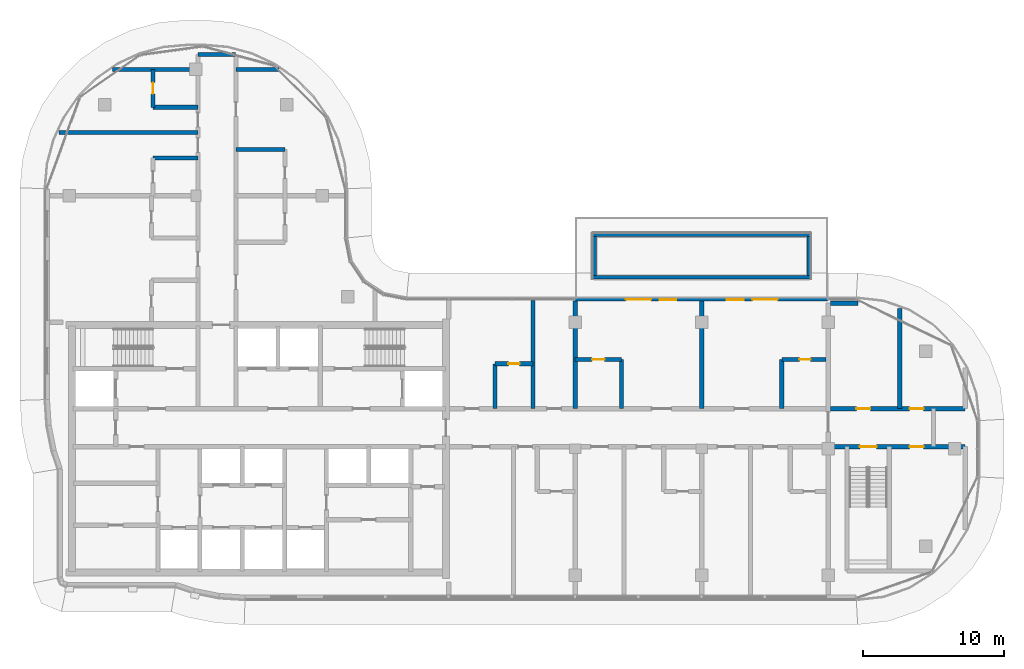
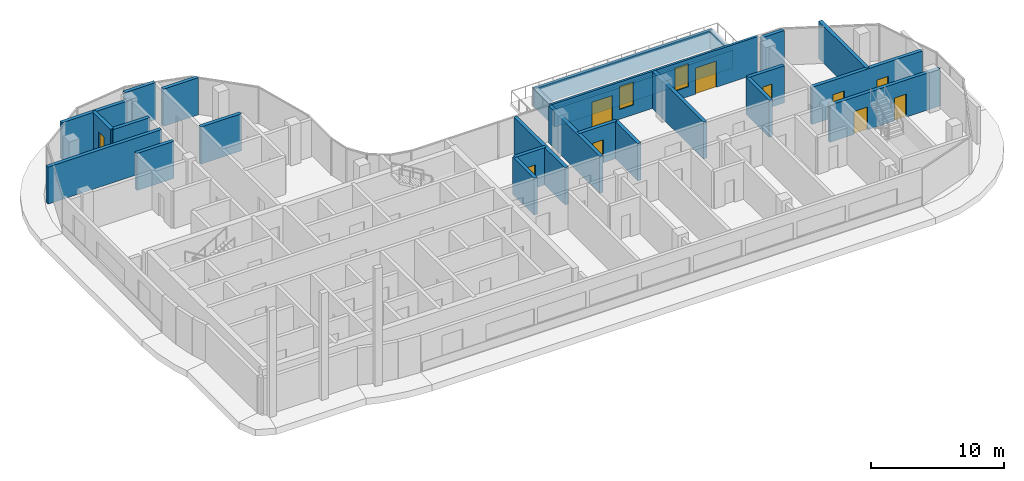
# One storey, part 12 of 20: 26 walls, 10 doors, 2 windows, 12 openings.
"""IFC4 building model written with IfcOpenShell, lengths in metres."""

from ifc_helpers import new_model, si_unit, direction, frame, frame_2d, origin, place, context, subcontext, project, spatial, rectangle, extrude, material, layer, layer_set, type_object, element, fill, save


model = new_model("IFC4")

# Units and contexts
model_context = context("Model", 3, precision=1e-05, world=origin(), true_north=direction((0.0, 1.0)))
body_context = subcontext(model_context, "Body", "Model", "MODEL_VIEW")
ifc_project = project(units=[si_unit("LENGTHUNIT", "METRE"), si_unit("AREAUNIT", "SQUARE_METRE"), si_unit("VOLUMEUNIT", "CUBIC_METRE"), si_unit("PLANEANGLEUNIT", "RADIAN"), si_unit("MASSUNIT", "GRAM", prefix="KILO")], contexts=[model_context])

# Site, building, storey
site_placement = place(None, origin())
site = spatial("IfcSite", under=ifc_project, at=site_placement, CompositionType="ELEMENT")
building_placement = place(site_placement, origin())
building = spatial("IfcBuilding", under=site, at=building_placement, Name="Ogive Portal Towers", CompositionType="ELEMENT")
storey_placement = place(building_placement, frame((0.0, 0.0, 195.800048828125)))
storey = spatial("IfcBuildingStorey", under=building, at=storey_placement, Name="L48", CompositionType="ELEMENT", Elevation=195.800048828125)

# Wall, openings, doors, windows
ifc_material_1 = material(Name="Limestone cladding on lightweight block wall", Category="masonry")
ifc_layer_1 = layer(ifc_material_1, 0.199951171875)
ifc_layer_set_1 = layer_set([ifc_layer_1], Name="BALCONY BAY WALL 200")
wall_type_1 = type_object("IfcWallType", Name="BALCONY BAY WALL 200", PredefinedType="SOLIDWALL", material=ifc_layer_set_1)
wall_1_placement = place(storey_placement, frame((67.5, 41.114990234375, 0.0), z_axis=(0.0, 0.0, 1.0), x_axis=(1.0, 0.0, 0.0)))
wall_1 = element("IfcWall", 1, at=wall_1_placement, inside=storey, type_object=wall_type_1, Name="A:L48:f13:bay0", PredefinedType="SOLIDWALL", context=body_context, shape_type="SweptSolid", body=[
    extrude(rectangle(XDim=18.0, YDim=0.199951171875, at=frame_2d((9.0, 0.0))), origin(), (0.0, 0.0, 1.0), 3.39990234375),
])
opening_1_placement = place(wall_1_placement, frame((12.60009765625, 0.0, 0.0)))
opening_1 = element("IfcOpeningElement", 2, at=opening_1_placement, cuts=wall_1, Name="Opening DX049", PredefinedType="OPENING", context=body_context, shape_type="SweptSolid", body=[
    extrude(rectangle(XDim=1.800048828125, YDim=2.39990234375, at=frame_2d((0.89990234375, 1.199951171875))), frame((0.0, 0.10986328125, 0.0), z_axis=(0.0, -1.0, 0.0), x_axis=(1.0, 0.0, 0.0)), (0.0, 0.0, 1.0), 0.219970703125),
])
opening_2_placement = place(wall_1_placement, frame((10.800048828125, 0.0, 0.89990234375)))
opening_2 = element("IfcOpeningElement", 3, at=opening_2_placement, cuts=wall_1, Name="Opening WN2", PredefinedType="OPENING", context=body_context, shape_type="SweptSolid", body=[
    extrude(rectangle(XDim=1.199951171875, YDim=2.10009765625, at=frame_2d((0.60009765625, 1.050048828125))), frame((0.0, 0.10986328125, 0.0), z_axis=(0.0, -1.0, 0.0), x_axis=(1.0, 0.0, 0.0)), (0.0, 0.0, 1.0), 0.219970703125),
])
opening_3_placement = place(wall_1_placement, frame((6.0, 0.0, 0.89990234375)))
opening_3 = element("IfcOpeningElement", 4, at=opening_3_placement, cuts=wall_1, Name="Opening WN2", PredefinedType="OPENING", context=body_context, shape_type="SweptSolid", body=[
    extrude(rectangle(XDim=1.199951171875, YDim=2.10009765625, at=frame_2d((0.60009765625, 1.050048828125))), frame((0.0, 0.10986328125, 0.0), z_axis=(0.0, -1.0, 0.0), x_axis=(1.0, 0.0, 0.0)), (0.0, 0.0, 1.0), 0.219970703125),
])
opening_4_placement = place(wall_1_placement, frame((3.60009765625, 0.0, 0.0)))
opening_4 = element("IfcOpeningElement", 5, at=opening_4_placement, cuts=wall_1, Name="Opening DX050", PredefinedType="OPENING", context=body_context, shape_type="SweptSolid", body=[
    extrude(rectangle(XDim=1.800048828125, YDim=2.39990234375, at=frame_2d((0.89990234375, 1.199951171875))), frame((0.0, 0.10986328125, 0.0), z_axis=(0.0, -1.0, 0.0), x_axis=(1.0, 0.0, 0.0)), (0.0, 0.0, 1.0), 0.219970703125),
])
ifc_material_2 = material(Name="Aluminium 6063 anodised", Category="aluminium")
door_type_1 = type_object("IfcDoorType", Name="BALCONY DOOR 1800x2400", OperationType="DOUBLE_DOOR_SINGLE_SWING", PredefinedType="DOOR", material=ifc_material_2)
door_1_placement = place(opening_1_placement, origin())
door_1 = element("IfcDoor", 6, at=door_1_placement, inside=storey, type_object=door_type_1, Name="A:L48:f13:bay0/o0", OperationType="SINGLE_SWING_LEFT", OverallHeight=2.39990234375, OverallWidth=1.800048828125, PredefinedType="DOOR", context=body_context, shape_type="SweptSolid", body=[
    extrude(rectangle(XDim=1.800048828125, YDim=2.39990234375, at=frame_2d((0.89990234375, 1.199951171875))), frame((0.0, 0.02490234375, 0.0), z_axis=(0.0, -1.0, 0.0), x_axis=(1.0, 0.0, 0.0)), (0.0, 0.0, 1.0), 0.050048828125),
])
fill(opening_1, door_1)
door_2_placement = place(opening_4_placement, origin())
door_2 = element("IfcDoor", 7, at=door_2_placement, inside=storey, type_object=door_type_1, Name="A:L48:f13:bay0/o3", OperationType="SINGLE_SWING_LEFT", OverallHeight=2.39990234375, OverallWidth=1.800048828125, PredefinedType="DOOR", context=body_context, shape_type="SweptSolid", body=[
    extrude(rectangle(XDim=1.800048828125, YDim=2.39990234375, at=frame_2d((0.89990234375, 1.199951171875))), frame((0.0, 0.02490234375, 0.0), z_axis=(0.0, -1.0, 0.0), x_axis=(1.0, 0.0, 0.0)), (0.0, 0.0, 1.0), 0.050048828125),
])
fill(opening_4, door_2)
ifc_material_3 = material(Name="Glass, clear low-iron insulated glazing", Category="glass")
window_type = type_object("IfcWindowType", Name="WINDOW BALCONY BAY 1200x2100", PartitioningType="SINGLE_PANEL", PredefinedType="WINDOW", material=ifc_material_3)
window_1_placement = place(opening_2_placement, origin())
window_1 = element("IfcWindow", 8, at=window_1_placement, inside=storey, type_object=window_type, Name="A:L48:f13:bay0/o1", OverallHeight=2.10009765625, OverallWidth=1.199951171875, PartitioningType="SINGLE_PANEL", PredefinedType="WINDOW", context=body_context, shape_type="SweptSolid", body=[
    extrude(rectangle(XDim=1.199951171875, YDim=2.10009765625, at=frame_2d((0.60009765625, 1.050048828125))), frame((0.0, 0.030029296875, 0.0), z_axis=(0.0, -1.0, 0.0), x_axis=(1.0, 0.0, 0.0)), (0.0, 0.0, 1.0), 0.06005859375),
])
fill(opening_2, window_1)
window_2_placement = place(opening_3_placement, origin())
window_2 = element("IfcWindow", 9, at=window_2_placement, inside=storey, type_object=window_type, Name="A:L48:f13:bay0/o2", OverallHeight=2.10009765625, OverallWidth=1.199951171875, PartitioningType="SINGLE_PANEL", PredefinedType="WINDOW", context=body_context, shape_type="SweptSolid", body=[
    extrude(rectangle(XDim=1.199951171875, YDim=2.10009765625, at=frame_2d((0.60009765625, 1.050048828125))), frame((0.0, 0.030029296875, 0.0), z_axis=(0.0, -1.0, 0.0), x_axis=(1.0, 0.0, 0.0)), (0.0, 0.0, 1.0), 0.06005859375),
])
fill(opening_3, window_2)

# Walls
ifc_material_4 = material(Name="Concrete C40/50", Category="concrete")
ifc_layer_2 = layer(ifc_material_4, 0.25)
ifc_layer_set_2 = layer_set([ifc_layer_2], Name="POOL WALL 250")
wall_type_2 = type_object("IfcWallType", Name="POOL WALL 250", PredefinedType="SOLIDWALL", material=ifc_layer_set_2)
wall_2_placement = place(storey_placement, frame((68.75, 42.68994140625, 0.0), z_axis=(0.0, 0.0, 1.0), x_axis=(1.0, 0.0, 0.0)))
element("IfcWall", 10, at=wall_2_placement, inside=storey, type_object=wall_type_2, Name="A:L48:pool:wall0", PredefinedType="SOLIDWALL", context=body_context, shape_type="SweptSolid", body=[
    extrude(rectangle(XDim=15.5, YDim=0.25, at=frame_2d((7.75, 0.0))), origin(), (0.0, 0.0, 1.0), 1.64990234375),
])
wall_3_placement = place(storey_placement, frame((84.125, 42.81494140625, 0.0), z_axis=(0.0, 0.0, 1.0), x_axis=(0.0, 1.0, 0.0)))
element("IfcWall", 11, at=wall_3_placement, inside=storey, type_object=wall_type_2, Name="A:L48:pool:wall1", PredefinedType="SOLIDWALL", context=body_context, shape_type="SweptSolid", body=[
    extrude(rectangle(XDim=2.78515625, YDim=0.25, at=frame_2d((1.392578125, 0.0))), origin(), (0.0, 0.0, 1.0), 1.64990234375),
])
wall_4_placement = place(storey_placement, frame((84.25, 45.72509765625, 0.0), z_axis=(0.0, 0.0, 1.0), x_axis=(-1.0, 0.0, 0.0)))
element("IfcWall", 12, at=wall_4_placement, inside=storey, type_object=wall_type_2, Name="A:L48:pool:wall2", PredefinedType="SOLIDWALL", context=body_context, shape_type="SweptSolid", body=[
    extrude(rectangle(XDim=15.5, YDim=0.25, at=frame_2d((7.75, 0.0))), origin(), (0.0, 0.0, 1.0), 1.64990234375),
])
wall_5_placement = place(storey_placement, frame((68.875, 45.60009765625, 0.0), z_axis=(0.0, 0.0, 1.0), x_axis=(0.0, -1.0, 0.0)))
element("IfcWall", 13, at=wall_5_placement, inside=storey, type_object=wall_type_2, Name="A:L48:pool:wall3", PredefinedType="SOLIDWALL", context=body_context, shape_type="SweptSolid", body=[
    extrude(rectangle(XDim=2.78515625, YDim=0.25, at=frame_2d((1.392578125, 0.0))), origin(), (0.0, 0.0, 1.0), 1.64990234375),
])

# Wall, openings, doors
ifc_material_5 = material(Name="Concrete C50/60", Category="concrete")
ifc_layer_3 = layer(ifc_material_5, 0.300048828125)
ifc_layer_set_3 = layer_set([ifc_layer_3], Name="STAIR WALL 300 C50")
wall_type_3 = type_object("IfcWallType", Name="STAIR WALL 300 C50", PredefinedType="SHEAR", material=ifc_layer_set_3)
wall_6_placement = place(storey_placement, frame((85.669921875, 30.64990234375, 0.0), z_axis=(0.0, 0.0, 1.0), x_axis=(1.0, 0.0, 0.0)))
wall_6 = element("IfcWall", 14, at=wall_6_placement, inside=storey, type_object=wall_type_3, Name="Stair wall ST-A4 L48", PredefinedType="SHEAR", context=body_context, shape_type="SweptSolid", body=[
    extrude(rectangle(XDim=9.580078125, YDim=0.300048828125, at=frame_2d((4.7900390625, 0.0))), origin(), (0.0, 0.0, 1.0), 3.39990234375),
])
opening_5_placement = place(wall_6_placement, frame((2.080078125, 0.0, 0.0)))
opening_5 = element("IfcOpeningElement", 15, at=opening_5_placement, cuts=wall_6, Name="Opening D35-054", PredefinedType="OPENING", context=body_context, shape_type="SweptSolid", body=[
    extrude(rectangle(XDim=1.199951171875, YDim=2.10009765625, at=frame_2d((0.60009765625, 1.050048828125))), frame((0.0, 0.16015625, 0.0), z_axis=(0.0, -1.0, 0.0), x_axis=(1.0, 0.0, 0.0)), (0.0, 0.0, 1.0), 0.320068359375),
])
opening_6_placement = place(wall_6_placement, frame((5.6298828125, 0.0, 0.0)))
opening_6 = element("IfcOpeningElement", 16, at=opening_6_placement, cuts=wall_6, Name="Opening D35-057", PredefinedType="OPENING", context=body_context, shape_type="SweptSolid", body=[
    extrude(rectangle(XDim=1.0, YDim=2.10009765625, at=frame_2d((0.5, 1.050048828125))), frame((0.0, 0.16015625, 0.0), z_axis=(0.0, -1.0, 0.0), x_axis=(1.0, 0.0, 0.0)), (0.0, 0.0, 1.0), 0.320068359375),
])
ifc_material_6 = material(Name="Steel fire door", Category="steel")
door_type_2 = type_object("IfcDoorType", Name="DT-SERVICE-1000x2100-FD90S", OperationType="SINGLE_SWING_LEFT", PredefinedType="DOOR", material=ifc_material_6)
door_3_placement = place(opening_6_placement, origin())
door_3 = element("IfcDoor", 17, at=door_3_placement, inside=storey, type_object=door_type_2, Name="Door D35-057", OperationType="SINGLE_SWING_LEFT", OverallHeight=2.10009765625, OverallWidth=1.0, PredefinedType="DOOR", context=body_context, shape_type="SweptSolid", body=[
    extrude(rectangle(XDim=1.0, YDim=2.10009765625, at=frame_2d((0.5, 1.050048828125))), frame((0.0, 0.02490234375, 0.0), z_axis=(0.0, -1.0, 0.0), x_axis=(1.0, 0.0, 0.0)), (0.0, 0.0, 1.0), 0.050048828125),
])
fill(opening_6, door_3)
door_type_3 = type_object("IfcDoorType", Name="DT-STAIR-1200x2100-FD90S", OperationType="SINGLE_SWING_LEFT", PredefinedType="DOOR", material=ifc_material_6)
door_4_placement = place(opening_5_placement, origin())
door_4 = element("IfcDoor", 18, at=door_4_placement, inside=storey, type_object=door_type_3, Name="Door D35-054", OperationType="SINGLE_SWING_LEFT", OverallHeight=2.10009765625, OverallWidth=1.199951171875, PredefinedType="DOOR", context=body_context, shape_type="SweptSolid", body=[
    extrude(rectangle(XDim=1.199951171875, YDim=2.10009765625, at=frame_2d((0.60009765625, 1.050048828125))), frame((0.0, 0.02490234375, 0.0), z_axis=(0.0, -1.0, 0.0), x_axis=(1.0, 0.0, 0.0)), (0.0, 0.0, 1.0), 0.050048828125),
])
fill(opening_5, door_4)

ifc_material_7 = material(Name="Gypsum board partition on steel studs", Category="steel")
ifc_layer_4 = layer(ifc_material_7, 0.300048828125)
ifc_layer_set_4 = layer_set([ifc_layer_4], Name="WT-PART-300-EI 120")
wall_type_4 = type_object("IfcWallType", Name="WT-PART-300-EI 120", PredefinedType="PARTITIONING", material=ifc_layer_set_4)
wall_7_placement = place(storey_placement, frame((85.669921875, 33.35009765625, 0.0), z_axis=(0.0, 0.0, 1.0), x_axis=(1.0, 0.0, 0.0)))
wall_7 = element("IfcWall", 19, at=wall_7_placement, inside=storey, type_object=wall_type_4, Name="Wall L48:w008", PredefinedType="PARTITIONING", context=body_context, shape_type="SweptSolid", body=[
    extrude(rectangle(XDim=9.580078125, YDim=0.300048828125, at=frame_2d((4.7900390625, 0.0))), origin(), (0.0, 0.0, 1.0), 3.39990234375),
])
opening_7_placement = place(wall_7_placement, frame((1.830078125, 0.0, 0.0)))
opening_7 = element("IfcOpeningElement", 20, at=opening_7_placement, cuts=wall_7, Name="Opening D35-055", PredefinedType="OPENING", context=body_context, shape_type="SweptSolid", body=[
    extrude(rectangle(XDim=1.0, YDim=2.10009765625, at=frame_2d((0.5, 1.050048828125))), frame((0.0, 0.16015625, 0.0), z_axis=(0.0, -1.0, 0.0), x_axis=(1.0, 0.0, 0.0)), (0.0, 0.0, 1.0), 0.320068359375),
])
opening_8_placement = place(wall_7_placement, frame((5.6298828125, 0.0, 0.0)))
opening_8 = element("IfcOpeningElement", 21, at=opening_8_placement, cuts=wall_7, Name="Opening D35-056", PredefinedType="OPENING", context=body_context, shape_type="SweptSolid", body=[
    extrude(rectangle(XDim=1.0, YDim=2.10009765625, at=frame_2d((0.5, 1.050048828125))), frame((0.0, 0.16015625, 0.0), z_axis=(0.0, -1.0, 0.0), x_axis=(1.0, 0.0, 0.0)), (0.0, 0.0, 1.0), 0.320068359375),
])
door_5_placement = place(opening_7_placement, origin())
door_5 = element("IfcDoor", 22, at=door_5_placement, inside=storey, type_object=door_type_2, Name="Door D35-055", OperationType="SINGLE_SWING_LEFT", OverallHeight=2.10009765625, OverallWidth=1.0, PredefinedType="DOOR", context=body_context, shape_type="SweptSolid", body=[
    extrude(rectangle(XDim=1.0, YDim=2.10009765625, at=frame_2d((0.5, 1.050048828125))), frame((0.0, 0.02490234375, 0.0), z_axis=(0.0, -1.0, 0.0), x_axis=(1.0, 0.0, 0.0)), (0.0, 0.0, 1.0), 0.050048828125),
])
fill(opening_7, door_5)
door_6_placement = place(opening_8_placement, origin())
door_6 = element("IfcDoor", 23, at=door_6_placement, inside=storey, type_object=door_type_2, Name="Riser access door D35-056", OperationType="SINGLE_SWING_RIGHT", OverallHeight=2.10009765625, OverallWidth=1.0, PredefinedType="DOOR", context=body_context, shape_type="SweptSolid", body=[
    extrude(rectangle(XDim=1.0, YDim=2.10009765625, at=frame_2d((0.5, 1.050048828125))), frame((0.0, 0.02490234375, 0.0), z_axis=(0.0, -1.0, 0.0), x_axis=(1.0, 0.0, 0.0)), (0.0, 0.0, 1.0), 0.050048828125),
])
fill(opening_8, door_6)

# Wall, opening, door
ifc_layer_5 = layer(ifc_material_7, 0.300048828125)
ifc_layer_set_5 = layer_set([ifc_layer_5], Name="WT-PART-300-EI 60")
wall_type_5 = type_object("IfcWallType", Name="WT-PART-300-EI 60", PredefinedType="PARTITIONING", material=ifc_layer_set_5)
wall_8_placement = place(storey_placement, frame((61.800048828125, 36.550048828125, 0.0), z_axis=(0.0, 0.0, 1.0), x_axis=(1.0, 0.0, 0.0)))
wall_8 = element("IfcWall", 24, at=wall_8_placement, inside=storey, type_object=wall_type_5, Name="Wall L48:w009", PredefinedType="PARTITIONING", context=body_context, shape_type="SweptSolid", body=[
    extrude(rectangle(XDim=2.699951171875, YDim=0.300048828125, at=frame_2d((1.35009765625, 0.0))), origin(), (0.0, 0.0, 1.0), 3.39990234375),
])
opening_9_placement = place(wall_8_placement, frame((0.949951171875, 0.0, 0.0)))
opening_9 = element("IfcOpeningElement", 25, at=opening_9_placement, cuts=wall_8, Name="Opening D35-027", PredefinedType="OPENING", context=body_context, shape_type="SweptSolid", body=[
    extrude(rectangle(XDim=0.800048828125, YDim=2.10009765625, at=frame_2d((0.39990234375, 1.050048828125))), frame((0.0, 0.16015625, 0.0), z_axis=(0.0, -1.0, 0.0), x_axis=(1.0, 0.0, 0.0)), (0.0, 0.0, 1.0), 0.320068359375),
])
door_type_4 = type_object("IfcDoorType", Name="DT-BATH-800x2100-FD60S", OperationType="SINGLE_SWING_LEFT", PredefinedType="DOOR", material=ifc_material_6)
door_7_placement = place(opening_9_placement, origin())
door_7 = element("IfcDoor", 26, at=door_7_placement, inside=storey, type_object=door_type_4, Name="Door D35-027", OperationType="SINGLE_SWING_LEFT", OverallHeight=2.10009765625, OverallWidth=0.800048828125, PredefinedType="DOOR", context=body_context, shape_type="SweptSolid", body=[
    extrude(rectangle(XDim=0.800048828125, YDim=2.10009765625, at=frame_2d((0.39990234375, 1.050048828125))), frame((0.0, 0.02490234375, 0.0), z_axis=(0.0, -1.0, 0.0), x_axis=(1.0, 0.0, 0.0)), (0.0, 0.0, 1.0), 0.050048828125),
])
fill(opening_9, door_7)

wall_9_placement = place(storey_placement, frame((67.5, 36.85009765625, 0.0), z_axis=(0.0, 0.0, 1.0), x_axis=(1.0, 0.0, 0.0)))
wall_9 = element("IfcWall", 27, at=wall_9_placement, inside=storey, type_object=wall_type_5, Name="Wall L48:w010", PredefinedType="PARTITIONING", context=body_context, shape_type="SweptSolid", body=[
    extrude(rectangle(XDim=3.300048828125, YDim=0.300048828125, at=frame_2d((1.64990234375, 0.0))), origin(), (0.0, 0.0, 1.0), 3.39990234375),
])
opening_10_placement = place(wall_9_placement, frame((1.199951171875, 0.0, 0.0)))
opening_10 = element("IfcOpeningElement", 28, at=opening_10_placement, cuts=wall_9, Name="Opening D35-034", PredefinedType="OPENING", context=body_context, shape_type="SweptSolid", body=[
    extrude(rectangle(XDim=0.89990234375, YDim=2.10009765625, at=frame_2d((0.449951171875, 1.050048828125))), frame((0.0, 0.16015625, 0.0), z_axis=(0.0, -1.0, 0.0), x_axis=(1.0, 0.0, 0.0)), (0.0, 0.0, 1.0), 0.320068359375),
])
door_type_5 = type_object("IfcDoorType", Name="DT-BATH-900x2100-FD60S", OperationType="SINGLE_SWING_LEFT", PredefinedType="DOOR", material=ifc_material_6)
door_8_placement = place(opening_10_placement, origin())
door_8 = element("IfcDoor", 29, at=door_8_placement, inside=storey, type_object=door_type_5, Name="Door D35-034", OperationType="SINGLE_SWING_LEFT", OverallHeight=2.10009765625, OverallWidth=0.89990234375, PredefinedType="DOOR", context=body_context, shape_type="SweptSolid", body=[
    extrude(rectangle(XDim=0.89990234375, YDim=2.10009765625, at=frame_2d((0.449951171875, 1.050048828125))), frame((0.0, 0.02490234375, 0.0), z_axis=(0.0, -1.0, 0.0), x_axis=(1.0, 0.0, 0.0)), (0.0, 0.0, 1.0), 0.050048828125),
])
fill(opening_10, door_8)

wall_10_placement = place(storey_placement, frame((82.199951171875, 36.85009765625, 0.0), z_axis=(0.0, 0.0, 1.0), x_axis=(1.0, 0.0, 0.0)))
wall_10 = element("IfcWall", 30, at=wall_10_placement, inside=storey, type_object=wall_type_5, Name="Wall L48:w011", PredefinedType="PARTITIONING", context=body_context, shape_type="SweptSolid", body=[
    extrude(rectangle(XDim=3.130126953125, YDim=0.300048828125, at=frame_2d((1.56494140625, 0.0))), origin(), (0.0, 0.0, 1.0), 3.39990234375),
])
opening_11_placement = place(wall_10_placement, frame((1.25, 0.0, 0.0)))
opening_11 = element("IfcOpeningElement", 31, at=opening_11_placement, cuts=wall_10, Name="Opening D35-038", PredefinedType="OPENING", context=body_context, shape_type="SweptSolid", body=[
    extrude(rectangle(XDim=0.800048828125, YDim=2.10009765625, at=frame_2d((0.39990234375, 1.050048828125))), frame((0.0, 0.16015625, 0.0), z_axis=(0.0, -1.0, 0.0), x_axis=(1.0, 0.0, 0.0)), (0.0, 0.0, 1.0), 0.320068359375),
])
door_9_placement = place(opening_11_placement, origin())
door_9 = element("IfcDoor", 32, at=door_9_placement, inside=storey, type_object=door_type_4, Name="Door D35-038", OperationType="SINGLE_SWING_LEFT", OverallHeight=2.10009765625, OverallWidth=0.800048828125, PredefinedType="DOOR", context=body_context, shape_type="SweptSolid", body=[
    extrude(rectangle(XDim=0.800048828125, YDim=2.10009765625, at=frame_2d((0.39990234375, 1.050048828125))), frame((0.0, 0.02490234375, 0.0), z_axis=(0.0, -1.0, 0.0), x_axis=(1.0, 0.0, 0.0)), (0.0, 0.0, 1.0), 0.050048828125),
])
fill(opening_11, door_9)

# Walls
wall_11_placement = place(storey_placement, frame((85.669921875, 40.85009765625, 0.0), z_axis=(0.0, 0.0, 1.0), x_axis=(1.0, 0.0, 0.0)))
element("IfcWall", 33, at=wall_11_placement, inside=storey, type_object=wall_type_5, Name="Wall L48:w013", PredefinedType="PARTITIONING", context=body_context, shape_type="SweptSolid", body=[
    extrude(rectangle(XDim=1.943115234375, YDim=0.300048828125, at=frame_2d((0.9716796875, 0.0))), origin(), (0.0, 0.0, 1.0), 3.39990234375),
])
wall_12_placement = place(storey_placement, frame((37.449951171875, 51.199951171875, 0.0), z_axis=(0.0, 0.0, 1.0), x_axis=(1.0, 0.0, 0.0)))
element("IfcWall", 34, at=wall_12_placement, inside=storey, type_object=wall_type_5, Name="Wall L48:w019", PredefinedType="PARTITIONING", context=body_context, shape_type="SweptSolid", body=[
    extrude(rectangle(XDim=3.199951171875, YDim=0.300048828125, at=frame_2d((1.60009765625, 0.0))), origin(), (0.0, 0.0, 1.0), 3.39990234375),
])
wall_13_placement = place(storey_placement, frame((43.35009765625, 51.800048828125, 0.0), z_axis=(0.0, 0.0, 1.0), x_axis=(1.0, 0.0, 0.0)))
element("IfcWall", 35, at=wall_13_placement, inside=storey, type_object=wall_type_5, Name="Wall L48:w020", PredefinedType="PARTITIONING", context=body_context, shape_type="SweptSolid", body=[
    extrude(rectangle(XDim=3.5, YDim=0.300048828125, at=frame_2d((1.75, 0.0))), origin(), (0.0, 0.0, 1.0), 3.39990234375),
])
wall_14_placement = place(storey_placement, frame((30.757080078125, 53.0, 0.0), z_axis=(0.0, 0.0, 1.0), x_axis=(1.0, 0.0, 0.0)))
element("IfcWall", 36, at=wall_14_placement, inside=storey, type_object=wall_type_5, Name="Wall L48:w021", PredefinedType="PARTITIONING", context=body_context, shape_type="SweptSolid", body=[
    extrude(rectangle(XDim=9.892822265625, YDim=0.300048828125, at=frame_2d((4.9462890625, 0.0))), origin(), (0.0, 0.0, 1.0), 3.39990234375),
])
wall_15_placement = place(storey_placement, frame((37.449951171875, 54.800048828125, 0.0), z_axis=(0.0, 0.0, 1.0), x_axis=(1.0, 0.0, 0.0)))
element("IfcWall", 37, at=wall_15_placement, inside=storey, type_object=wall_type_5, Name="Wall L48:w022", PredefinedType="PARTITIONING", context=body_context, shape_type="SweptSolid", body=[
    extrude(rectangle(XDim=3.199951171875, YDim=0.300048828125, at=frame_2d((1.60009765625, 0.0))), origin(), (0.0, 0.0, 1.0), 3.39990234375),
])
wall_16_placement = place(storey_placement, frame((34.58203125, 57.5, 0.0), z_axis=(0.0, 0.0, 1.0), x_axis=(1.0, 0.0, 0.0)))
element("IfcWall", 38, at=wall_16_placement, inside=storey, type_object=wall_type_5, Name="Wall L48:w023", PredefinedType="PARTITIONING", context=body_context, shape_type="SweptSolid", body=[
    extrude(rectangle(XDim=6.06787109375, YDim=0.300048828125, at=frame_2d((3.033935546875, 0.0))), origin(), (0.0, 0.0, 1.0), 3.39990234375),
])
wall_17_placement = place(storey_placement, frame((43.35009765625, 57.5, 0.0), z_axis=(0.0, 0.0, 1.0), x_axis=(1.0, 0.0, 0.0)))
element("IfcWall", 39, at=wall_17_placement, inside=storey, type_object=wall_type_5, Name="Wall L48:w024", PredefinedType="PARTITIONING", context=body_context, shape_type="SweptSolid", body=[
    extrude(rectangle(XDim=3.06787109375, YDim=0.300048828125, at=frame_2d((1.533935546875, 0.0))), origin(), (0.0, 0.0, 1.0), 3.39990234375),
])
wall_18_placement = place(storey_placement, frame((40.64990234375, 58.550048828125, 0.0), z_axis=(0.0, 0.0, 1.0), x_axis=(1.0, 0.0, 0.0)))
element("IfcWall", 40, at=wall_18_placement, inside=storey, type_object=wall_type_5, Name="Wall L48:w025", PredefinedType="PARTITIONING", context=body_context, shape_type="SweptSolid", body=[
    extrude(rectangle(XDim=2.674072265625, YDim=0.300048828125, at=frame_2d((1.3369140625, 0.0))), origin(), (0.0, 0.0, 1.0), 3.39990234375),
])

# Wall, opening, door
wall_19_placement = place(storey_placement, frame((37.449951171875, 54.800048828125, 0.0), z_axis=(0.0, 0.0, 1.0), x_axis=(0.0, 1.0, 0.0)))
wall_19 = element("IfcWall", 41, at=wall_19_placement, inside=storey, type_object=wall_type_5, Name="Wall L48:w029", PredefinedType="PARTITIONING", context=body_context, shape_type="SweptSolid", body=[
    extrude(rectangle(XDim=2.699951171875, YDim=0.300048828125, at=frame_2d((1.35009765625, 0.0))), origin(), (0.0, 0.0, 1.0), 3.39990234375),
])
opening_12_placement = place(wall_19_placement, frame((0.949951171875, 0.0, 0.0)))
opening_12 = element("IfcOpeningElement", 42, at=opening_12_placement, cuts=wall_19, Name="Opening D35-052", PredefinedType="OPENING", context=body_context, shape_type="SweptSolid", body=[
    extrude(rectangle(XDim=0.800048828125, YDim=2.10009765625, at=frame_2d((0.39990234375, 1.050048828125))), frame((0.0, 0.16015625, 0.0), z_axis=(0.0, -1.0, 0.0), x_axis=(1.0, 0.0, 0.0)), (0.0, 0.0, 1.0), 0.320068359375),
])
door_10_placement = place(opening_12_placement, origin())
door_10 = element("IfcDoor", 43, at=door_10_placement, inside=storey, type_object=door_type_4, Name="Door D35-052", OperationType="SINGLE_SWING_RIGHT", OverallHeight=2.10009765625, OverallWidth=0.800048828125, PredefinedType="DOOR", context=body_context, shape_type="SweptSolid", body=[
    extrude(rectangle(XDim=0.800048828125, YDim=2.10009765625, at=frame_2d((0.39990234375, 1.050048828125))), frame((0.0, 0.02490234375, 0.0), z_axis=(0.0, -1.0, 0.0), x_axis=(1.0, 0.0, 0.0)), (0.0, 0.0, 1.0), 0.050048828125),
])
fill(opening_12, door_10)

# Walls
wall_20_placement = place(storey_placement, frame((61.800048828125, 33.35009765625, 0.0), z_axis=(0.0, 0.0, 1.0), x_axis=(0.0, 1.0, 0.0)))
element("IfcWall", 44, at=wall_20_placement, inside=storey, type_object=wall_type_5, Name="Wall L48:w036", PredefinedType="PARTITIONING", context=body_context, shape_type="SweptSolid", body=[
    extrude(rectangle(XDim=3.199951171875, YDim=0.300048828125, at=frame_2d((1.60009765625, 0.0))), origin(), (0.0, 0.0, 1.0), 3.39990234375),
])
wall_21_placement = place(storey_placement, frame((64.5, 33.35009765625, 0.0), z_axis=(0.0, 0.0, 1.0), x_axis=(0.0, 1.0, 0.0)))
element("IfcWall", 45, at=wall_21_placement, inside=storey, type_object=wall_type_5, Name="Wall L48:w038", PredefinedType="PARTITIONING", context=body_context, shape_type="SweptSolid", body=[
    extrude(rectangle(XDim=7.69482421875, YDim=0.300048828125, at=frame_2d((3.847412109375, 0.0))), origin(), (0.0, 0.0, 1.0), 3.39990234375),
])
wall_22_placement = place(storey_placement, frame((67.5, 33.35009765625, 0.0), z_axis=(0.0, 0.0, 1.0), x_axis=(0.0, 1.0, 0.0)))
element("IfcWall", 46, at=wall_22_placement, inside=storey, type_object=wall_type_5, Name="Wall L48:w041", PredefinedType="PARTITIONING", context=body_context, shape_type="SweptSolid", body=[
    extrude(rectangle(XDim=7.65478515625, YDim=0.300048828125, at=frame_2d((3.827392578125, 0.0))), origin(), (0.0, 0.0, 1.0), 3.39990234375),
])
wall_23_placement = place(storey_placement, frame((70.800048828125, 33.35009765625, 0.0), z_axis=(0.0, 0.0, 1.0), x_axis=(0.0, 1.0, 0.0)))
element("IfcWall", 47, at=wall_23_placement, inside=storey, type_object=wall_type_5, Name="Wall L48:w042", PredefinedType="PARTITIONING", context=body_context, shape_type="SweptSolid", body=[
    extrude(rectangle(XDim=3.5, YDim=0.300048828125, at=frame_2d((1.75, 0.0))), origin(), (0.0, 0.0, 1.0), 3.39990234375),
])
wall_24_placement = place(storey_placement, frame((76.5, 33.35009765625, 0.0), z_axis=(0.0, 0.0, 1.0), x_axis=(0.0, 1.0, 0.0)))
element("IfcWall", 48, at=wall_24_placement, inside=storey, type_object=wall_type_5, Name="Wall L48:w046", PredefinedType="PARTITIONING", context=body_context, shape_type="SweptSolid", body=[
    extrude(rectangle(XDim=7.65478515625, YDim=0.300048828125, at=frame_2d((3.827392578125, 0.0))), origin(), (0.0, 0.0, 1.0), 3.39990234375),
])
wall_25_placement = place(storey_placement, frame((82.199951171875, 33.35009765625, 0.0), z_axis=(0.0, 0.0, 1.0), x_axis=(0.0, 1.0, 0.0)))
element("IfcWall", 49, at=wall_25_placement, inside=storey, type_object=wall_type_5, Name="Wall L48:w048", PredefinedType="PARTITIONING", context=body_context, shape_type="SweptSolid", body=[
    extrude(rectangle(XDim=3.5, YDim=0.300048828125, at=frame_2d((1.75, 0.0))), origin(), (0.0, 0.0, 1.0), 3.39990234375),
])
wall_26_placement = place(storey_placement, frame((90.60009765625, 33.35009765625, 0.0), z_axis=(0.0, 0.0, 1.0), x_axis=(0.0, 1.0, 0.0)))
element("IfcWall", 50, at=wall_26_placement, inside=storey, type_object=wall_type_5, Name="Wall L48:w052", PredefinedType="PARTITIONING", context=body_context, shape_type="SweptSolid", body=[
    extrude(rectangle(XDim=7.1240234375, YDim=0.300048828125, at=frame_2d((3.56201171875, 0.0))), origin(), (0.0, 0.0, 1.0), 3.39990234375),
])

save(model, "model.ifc")
